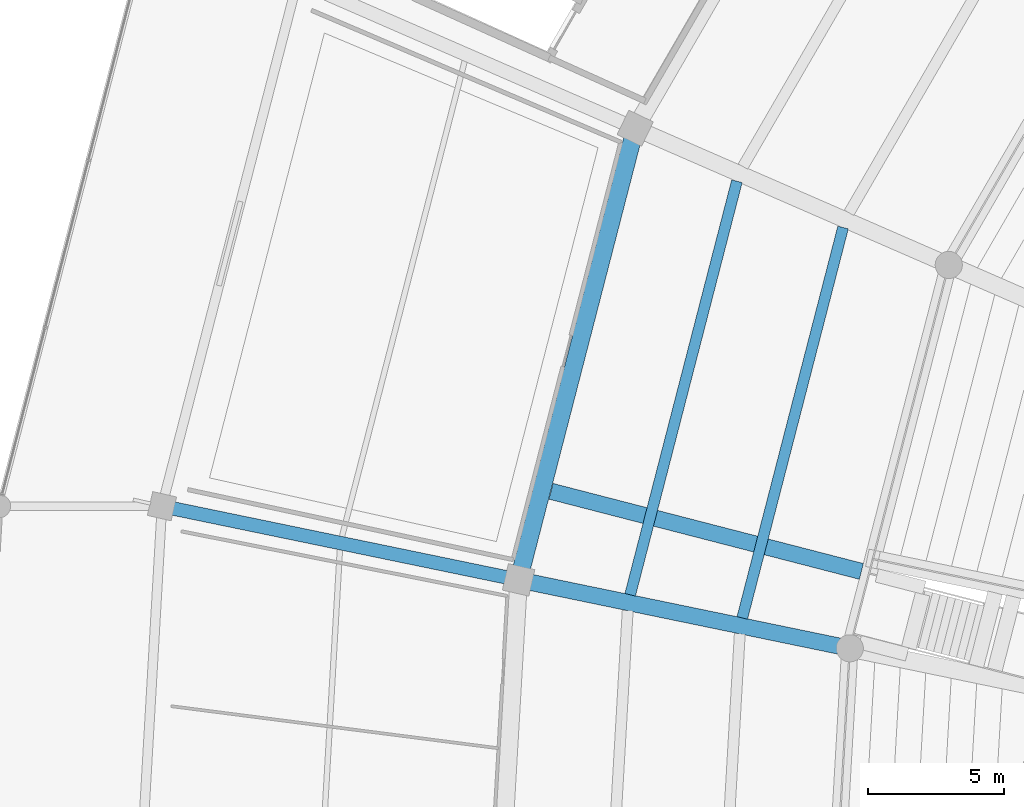
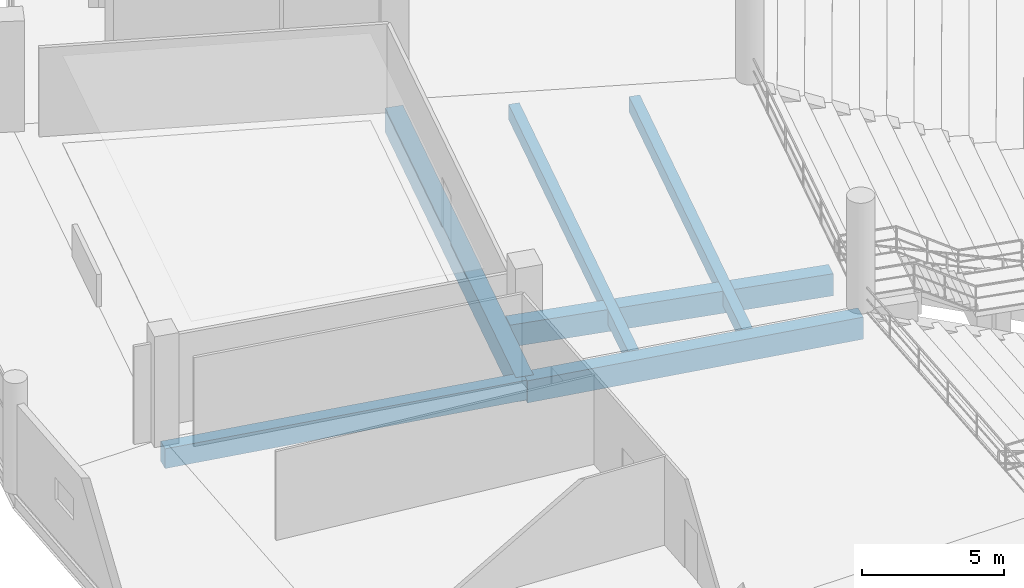
# One storey, part 32 of 156: 6 beams.
"""IFC4 building model written with IfcOpenShell, lengths in metres."""

from ifc_helpers import new_model, si_unit, direction, frame, origin, origin_2d, place, context, subcontext, project, spatial, rectangle, extrude, material, material_profile, profile_set, type_object, element, save


model = new_model("IFC4")

# Units and contexts
model_context = context("Model", 3, precision=1e-05, world=origin(), true_north=direction((0.0, 1.0)))
body_context = subcontext(model_context, "Body", "Model", "MODEL_VIEW")
ifc_project = project(units=[si_unit("LENGTHUNIT", "METRE"), si_unit("AREAUNIT", "SQUARE_METRE"), si_unit("VOLUMEUNIT", "CUBIC_METRE"), si_unit("PLANEANGLEUNIT", "RADIAN"), si_unit("MASSUNIT", "GRAM", prefix="KILO")], contexts=[model_context])

# Site, building, storey
site_placement = place(None, origin())
site = spatial("IfcSite", under=ifc_project, at=site_placement, CompositionType="ELEMENT")
building_placement = place(site_placement, origin())
building = spatial("IfcBuilding", under=site, at=building_placement, Name="Kazemori Nagisa Stadium", CompositionType="ELEMENT")
storey_placement = place(building_placement, frame((0.0, 0.0, 5.780029296875)))
storey = spatial("IfcBuildingStorey", under=building, at=storey_placement, Name="L01", CompositionType="ELEMENT", Elevation=5.780029296875)

# Beams
ifc_material = material(Name="Concrete C40/50 (Fc42)", Category="concrete")
ifc_material_profile_1 = material_profile(ifc_material, rectangle(XDim=0.5, YDim=0.85009765625, at=origin_2d()), Name="RC-BM-500x850")
ifc_profile_set_1 = profile_set([ifc_material_profile_1], Name="Concrete C40/50 (Fc42)")
beam_type_1 = type_object("IfcBeamType", Name="Beam_BG-RC500X850", PredefinedType="BEAM", material=ifc_profile_set_1)
beam_1_placement = place(storey_placement, frame((42.262451171875, 118.68212890625, -0.705078125), z_axis=(-0.979315516463, 0.202339119339, 0.0), x_axis=(-0.202339119339, -0.979315516463, 0.0)))
element("IfcBeam", 1, at=beam_1_placement, inside=storey, type_object=beam_type_1, Name="Radial girder BG-RC500X850 L01 R2-R3-14", PredefinedType="BEAM", context=body_context, shape_type="SweptSolid", body=[
    extrude(rectangle(XDim=0.5, YDim=0.85009765625, at=origin_2d()), origin(), (0.0, 0.0, 1.0), 13.4208984375),
])
ifc_material_profile_2 = material_profile(ifc_material, rectangle(XDim=0.60009765625, YDim=0.949951171875, at=origin_2d()), Name="RC-BM-600x950")
ifc_profile_set_2 = profile_set([ifc_material_profile_2], Name="Concrete C40/50 (Fc42)")
beam_type_2 = type_object("IfcBeamType", Name="Beam_BG-RC600X950", PredefinedType="BEAM", material=ifc_profile_set_2)
beam_2_placement = place(storey_placement, frame((54.467041015625, 116.160400390625, -0.755126953125), z_axis=(-0.979313861938, 0.202347127025, 0.0), x_axis=(-0.202347127025, -0.979313861938, 0.0)))
element("IfcBeam", 2, at=beam_2_placement, inside=storey, type_object=beam_type_2, Name="Radial girder BG-RC600X950 L01 R1-R2-14", PredefinedType="BEAM", context=body_context, shape_type="SweptSolid", body=[
    extrude(rectangle(XDim=0.60009765625, YDim=0.949951171875, at=origin_2d()), origin(), (0.0, 0.0, 1.0), 12.46240234375),
])
beam_3_placement = place(storey_placement, frame((54.893798828125, 118.99365234375, -0.755126953125), z_axis=(-0.9682563498, 0.249959278827, 0.0), x_axis=(-0.249959278827, -0.9682563498, 0.0)))
element("IfcBeam", 3, at=beam_3_placement, inside=storey, type_object=beam_type_2, Name="Lower vomitory right backspan girder B13", PredefinedType="BEAM", context=body_context, shape_type="SweptSolid", body=[
    extrude(rectangle(XDim=0.60009765625, YDim=0.949951171875, at=origin_2d()), origin(), (0.0, 0.0, 1.0), 11.8125),
])
ifc_material_profile_3 = material_profile(ifc_material, rectangle(XDim=0.64990234375, YDim=1.050048828125, at=origin_2d()), Name="RC-BM-650x1050")
ifc_profile_set_3 = profile_set([ifc_material_profile_3], Name="Concrete C40/50 (Fc42)")
beam_type_3 = type_object("IfcBeamType", Name="Beam_BG-RC650X1050", PredefinedType="BEAM", material=ifc_profile_set_3)
beam_4_placement = place(storey_placement, frame((46.55908203125, 135.32470703125, -0.804931640625), z_axis=(-0.249974673676, -0.968252375427, 0.0), x_axis=(0.968252375427, -0.249974673676, 0.0)))
element("IfcBeam", 4, at=beam_4_placement, inside=storey, type_object=beam_type_3, Name="Ring girder BG-RC650X1050 L01 R2-13", PredefinedType="BEAM", context=body_context, shape_type="SweptSolid", body=[
    extrude(rectangle(XDim=0.64990234375, YDim=1.050048828125, at=origin_2d()), origin(), (0.0, 0.0, 1.0), 17.188232421875),
])
ifc_material_profile_4 = material_profile(ifc_material, rectangle(XDim=0.39990234375, YDim=0.64990234375, at=origin_2d()), Name="RC-BM-400x650")
ifc_profile_set_4 = profile_set([ifc_material_profile_4], Name="Concrete C40/50 (Fc42)")
beam_type_4 = type_object("IfcBeamType", Name="Beam_BJ-RC400X650", PredefinedType="JOIST", material=ifc_profile_set_4)
beam_5_placement = place(storey_placement, frame((54.21826171875, 131.667724609375, -0.60498046875), z_axis=(-0.24996646764, -0.968254493951, 0.0), x_axis=(0.968254493951, -0.24996646764, 0.0)))
element("IfcBeam", 5, at=beam_5_placement, inside=storey, type_object=beam_type_4, Name="Concourse joist BJ-RC400X650 L01 B13-1", PredefinedType="JOIST", context=body_context, shape_type="SweptSolid", body=[
    extrude(rectangle(XDim=0.39990234375, YDim=0.64990234375, at=origin_2d()), origin(), (0.0, 0.0, 1.0), 14.859375),
])
beam_6_placement = place(storey_placement, frame((50.307373046875, 133.372802734375, -0.60498046875), z_axis=(-0.24997419154, -0.968252499901, 0.0), x_axis=(0.968252499901, -0.24997419154, 0.0)))
element("IfcBeam", 6, at=beam_6_placement, inside=storey, type_object=beam_type_4, Name="Concourse joist BJ-RC400X650 L01 B13-2", PredefinedType="JOIST", context=body_context, shape_type="SweptSolid", body=[
    extrude(rectangle(XDim=0.39990234375, YDim=0.64990234375, at=origin_2d()), origin(), (0.0, 0.0, 1.0), 15.739013671875),
])

save(model, "model.ifc")
